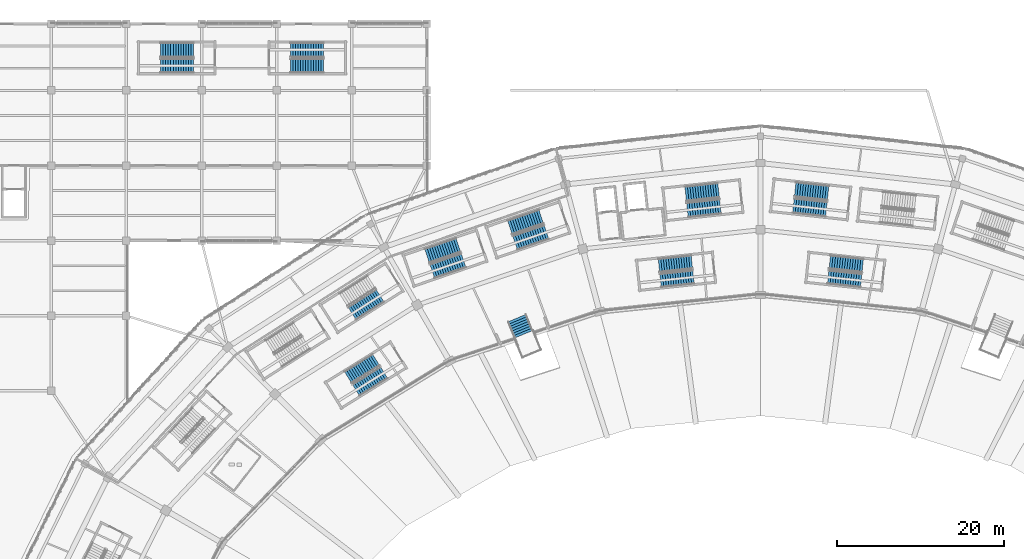
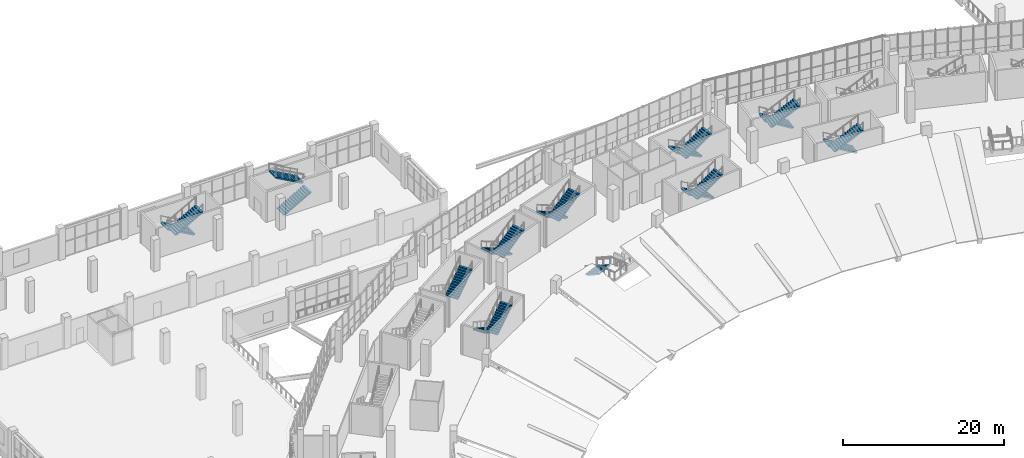
# One storey, part 117 of 183: 20 stair flights, 11 elements without a shape of their own.
"""IFC4 building model written with IfcOpenShell, lengths in metres."""

from ifc_helpers import new_model, si_unit, direction, frame, origin, place, context, subcontext, project, spatial, polyline, outline, extrude, material, type_object, element, aggregate, save


model = new_model("IFC4")

# Units and contexts
model_context = context("Model", 3, precision=1e-05, world=origin(), true_north=direction((0.0, 1.0)))
body_context = subcontext(model_context, "Body", "Model", "MODEL_VIEW")
ifc_project = project(units=[si_unit("LENGTHUNIT", "METRE"), si_unit("AREAUNIT", "SQUARE_METRE"), si_unit("VOLUMEUNIT", "CUBIC_METRE"), si_unit("PLANEANGLEUNIT", "RADIAN"), si_unit("MASSUNIT", "GRAM", prefix="KILO")], contexts=[model_context])

# Site, building, storey
site_placement = place(None, origin())
site = spatial("IfcSite", under=ifc_project, at=site_placement, CompositionType="ELEMENT")
building_placement = place(site_placement, origin())
building = spatial("IfcBuilding", under=site, at=building_placement, Name="Zevraka Park Crest Stadium", CompositionType="ELEMENT")
storey_placement = place(building_placement, frame((0.0, 0.0, 5.39990234375)))
storey = spatial("IfcBuildingStorey", under=building, at=storey_placement, Name="L01", CompositionType="ELEMENT", Elevation=5.39990234375)

# Stair, stair flights
ifc_material_1 = material(Name="Concrete C35/45", Category="concrete")
stair_type_1 = type_object("IfcStairType", Name="STA2", PredefinedType="HALF_TURN_STAIR", material=ifc_material_1)
stair_1_placement = place(storey_placement, origin())
stair_1 = element("IfcStair", 1, at=stair_1_placement, inside=storey, type_object=stair_type_1, Name="L01 Protected Concourse Exit Stair ST07", PredefinedType="HALF_TURN_STAIR")
ifc_material_2 = material(Name="Concrete C35/45", Category="concrete")
stair_flight_type_1 = type_object("IfcStairFlightType", Name="FLA2", PredefinedType="STRAIGHT", material=ifc_material_2)
stair_flight_1_placement = place(storey_placement, frame((106.97509765625, 164.038818359375, 0.0), z_axis=(0.0, 0.0, 1.0), x_axis=(-0.994127567381, -0.108214508149, 0.0)))
stair_flight_1 = element("IfcStairFlight", 2, at=stair_flight_1_placement, type_object=stair_flight_type_1, Name="ST07 flight 1", NumberOfRisers=14, NumberOfTreads=13, PredefinedType="STRAIGHT", RiserHeight=0.171428571, TreadLength=0.305, context=body_context, shape_type="SweptSolid", body=[
    extrude(outline(polyline([(0.0, 0.0), (0.0, 0.17138671875), (0.304931640625, 0.17138671875), (0.304931640625, 0.3427734375), (0.610107421875, 0.3427734375), (0.610107421875, 0.514404296875), (0.9150390625, 0.514404296875), (0.9150390625, 0.685791015625), (1.219970703125, 0.685791015625), (1.219970703125, 0.857177734375), (1.52490234375, 0.857177734375), (1.52490234375, 1.028564453125), (1.830078125, 1.028564453125), (1.830078125, 1.199951171875), (2.135009765625, 1.199951171875), (2.135009765625, 1.371337890625), (2.43994140625, 1.371337890625), (2.43994140625, 1.54296875), (2.7451171875, 1.54296875), (2.7451171875, 1.71435546875), (3.050048828125, 1.71435546875), (3.050048828125, 1.8857421875), (3.35498046875, 1.8857421875), (3.35498046875, 2.05712890625), (3.659912109375, 2.05712890625), (3.659912109375, 2.228515625), (3.965087890625, 2.228515625), (3.965087890625, 2.39990234375), (3.965087890625, 2.045166015625), (0.326416015625, 0.0), (0.0, 0.0)])), frame((0.0, 0.89990234375, 0.0), z_axis=(0.0, -1.0, 0.0), x_axis=(1.0, 0.0, 0.0)), (0.0, 0.0, 1.0), 1.800048828125),
])
stair_flight_2_placement = place(storey_placement, frame((103.245361328125, 161.6611328125, 2.400146484375), z_axis=(0.0, 0.0, 1.0), x_axis=(0.994127567381, 0.108214508149, 0.0)))
stair_flight_2 = element("IfcStairFlight", 3, at=stair_flight_2_placement, type_object=stair_flight_type_1, Name="ST07 flight 2", NumberOfRisers=14, NumberOfTreads=13, PredefinedType="STRAIGHT", RiserHeight=0.171428571, TreadLength=0.305, context=body_context, shape_type="SweptSolid", body=[
    extrude(outline(polyline([(0.0, 0.0), (0.0, 0.17138671875), (0.304931640625, 0.17138671875), (0.304931640625, 0.3427734375), (0.610107421875, 0.3427734375), (0.610107421875, 0.514404296875), (0.9150390625, 0.514404296875), (0.9150390625, 0.685791015625), (1.219970703125, 0.685791015625), (1.219970703125, 0.857177734375), (1.52490234375, 0.857177734375), (1.52490234375, 1.028564453125), (1.830078125, 1.028564453125), (1.830078125, 1.199951171875), (2.135009765625, 1.199951171875), (2.135009765625, 1.371337890625), (2.43994140625, 1.371337890625), (2.43994140625, 1.54296875), (2.7451171875, 1.54296875), (2.7451171875, 1.71435546875), (3.050048828125, 1.71435546875), (3.050048828125, 1.8857421875), (3.35498046875, 1.8857421875), (3.35498046875, 2.05712890625), (3.659912109375, 2.05712890625), (3.659912109375, 2.228515625), (3.965087890625, 2.228515625), (3.965087890625, 2.39990234375), (3.965087890625, 2.045166015625), (0.326416015625, 0.0), (0.0, 0.0)])), frame((0.0, 0.89990234375, 0.0), z_axis=(0.0, -1.0, 0.0), x_axis=(1.0, 0.0, 0.0)), (0.0, 0.0, 1.0), 1.800048828125),
])
aggregate(stair_1, [stair_flight_1, stair_flight_2])

stair_2_placement = place(storey_placement, origin())
stair_2 = element("IfcStair", 4, at=stair_2_placement, inside=storey, type_object=stair_type_1, Name="L01 Protected Concourse Exit Stair ST08", PredefinedType="HALF_TURN_STAIR")
stair_flight_3_placement = place(storey_placement, frame((85.70849609375, 160.86767578125, 0.0), z_axis=(0.0, 0.0, 1.0), x_axis=(-0.946066135515, -0.323973559463, 0.0)))
stair_flight_3 = element("IfcStairFlight", 5, at=stair_flight_3_placement, type_object=stair_flight_type_1, Name="ST08 flight 1", NumberOfRisers=14, NumberOfTreads=13, PredefinedType="STRAIGHT", RiserHeight=0.171428571, TreadLength=0.305, context=body_context, shape_type="SweptSolid", body=[
    extrude(outline(polyline([(0.0, 0.0), (0.0, 0.17138671875), (0.304931640625, 0.17138671875), (0.304931640625, 0.3427734375), (0.610107421875, 0.3427734375), (0.610107421875, 0.514404296875), (0.9150390625, 0.514404296875), (0.9150390625, 0.685791015625), (1.219970703125, 0.685791015625), (1.219970703125, 0.857177734375), (1.52490234375, 0.857177734375), (1.52490234375, 1.028564453125), (1.830078125, 1.028564453125), (1.830078125, 1.199951171875), (2.135009765625, 1.199951171875), (2.135009765625, 1.371337890625), (2.43994140625, 1.371337890625), (2.43994140625, 1.54296875), (2.7451171875, 1.54296875), (2.7451171875, 1.71435546875), (3.050048828125, 1.71435546875), (3.050048828125, 1.8857421875), (3.35498046875, 1.8857421875), (3.35498046875, 2.05712890625), (3.659912109375, 2.05712890625), (3.659912109375, 2.228515625), (3.965087890625, 2.228515625), (3.965087890625, 2.39990234375), (3.965087890625, 2.045166015625), (0.326416015625, 0.0), (0.0, 0.0)])), frame((0.0, 0.89990234375, 0.0), z_axis=(0.0, -1.0, 0.0), x_axis=(1.0, 0.0, 0.0)), (0.0, 0.0, 1.0), 1.800048828125),
])
stair_flight_4_placement = place(storey_placement, frame((82.59228515625, 157.728759765625, 2.400146484375), z_axis=(0.0, 0.0, 1.0), x_axis=(0.946066135515, 0.323973559463, 0.0)))
stair_flight_4 = element("IfcStairFlight", 6, at=stair_flight_4_placement, type_object=stair_flight_type_1, Name="ST08 flight 2", NumberOfRisers=14, NumberOfTreads=13, PredefinedType="STRAIGHT", RiserHeight=0.171428571, TreadLength=0.305, context=body_context, shape_type="SweptSolid", body=[
    extrude(outline(polyline([(0.0, 0.0), (0.0, 0.17138671875), (0.304931640625, 0.17138671875), (0.304931640625, 0.3427734375), (0.610107421875, 0.3427734375), (0.610107421875, 0.514404296875), (0.9150390625, 0.514404296875), (0.9150390625, 0.685791015625), (1.219970703125, 0.685791015625), (1.219970703125, 0.857177734375), (1.52490234375, 0.857177734375), (1.52490234375, 1.028564453125), (1.830078125, 1.028564453125), (1.830078125, 1.199951171875), (2.135009765625, 1.199951171875), (2.135009765625, 1.371337890625), (2.43994140625, 1.371337890625), (2.43994140625, 1.54296875), (2.7451171875, 1.54296875), (2.7451171875, 1.71435546875), (3.050048828125, 1.71435546875), (3.050048828125, 1.8857421875), (3.35498046875, 1.8857421875), (3.35498046875, 2.05712890625), (3.659912109375, 2.05712890625), (3.659912109375, 2.228515625), (3.965087890625, 2.228515625), (3.965087890625, 2.39990234375), (3.965087890625, 2.045166015625), (0.326416015625, 0.0), (0.0, 0.0)])), frame((0.0, 0.89990234375, 0.0), z_axis=(0.0, -1.0, 0.0), x_axis=(1.0, 0.0, 0.0)), (0.0, 0.0, 1.0), 1.800048828125),
])
aggregate(stair_2, [stair_flight_3, stair_flight_4])

# Stair, stair flight
stair_3_placement = place(storey_placement, origin())
stair_3 = element("IfcStair", 7, at=stair_3_placement, inside=storey, type_object=stair_type_1, Name="L01 Protected Concourse Exit Stair ST09", PredefinedType="HALF_TURN_STAIR")
stair_flight_5_placement = place(storey_placement, frame((63.05224609375, 149.263671875, 2.400146484375), z_axis=(0.0, 0.0, 1.0), x_axis=(0.844397122829, 0.535717741874, 0.0)))
stair_flight_5 = element("IfcStairFlight", 8, at=stair_flight_5_placement, type_object=stair_flight_type_1, Name="ST09 flight 2", NumberOfRisers=14, NumberOfTreads=13, PredefinedType="STRAIGHT", RiserHeight=0.171428571, TreadLength=0.305, context=body_context, shape_type="SweptSolid", body=[
    extrude(outline(polyline([(0.0, 0.0), (0.0, 0.17138671875), (0.304931640625, 0.17138671875), (0.304931640625, 0.3427734375), (0.610107421875, 0.3427734375), (0.610107421875, 0.514404296875), (0.9150390625, 0.514404296875), (0.9150390625, 0.685791015625), (1.219970703125, 0.685791015625), (1.219970703125, 0.857177734375), (1.52490234375, 0.857177734375), (1.52490234375, 1.028564453125), (1.830078125, 1.028564453125), (1.830078125, 1.199951171875), (2.135009765625, 1.199951171875), (2.135009765625, 1.371337890625), (2.43994140625, 1.371337890625), (2.43994140625, 1.54296875), (2.7451171875, 1.54296875), (2.7451171875, 1.71435546875), (3.050048828125, 1.71435546875), (3.050048828125, 1.8857421875), (3.35498046875, 1.8857421875), (3.35498046875, 2.05712890625), (3.659912109375, 2.05712890625), (3.659912109375, 2.228515625), (3.965087890625, 2.228515625), (3.965087890625, 2.39990234375), (3.965087890625, 2.045166015625), (0.326416015625, 0.0), (0.0, 0.0)])), frame((0.0, 0.89990234375, 0.0), z_axis=(0.0, -1.0, 0.0), x_axis=(1.0, 0.0, 0.0)), (0.0, 0.0, 1.0), 1.800048828125),
])
aggregate(stair_3, [stair_flight_5])

# Stair, stair flights
stair_4_placement = place(storey_placement, origin())
stair_4 = element("IfcStair", 9, at=stair_4_placement, inside=storey, type_object=stair_type_1, Name="L01 Protected Paired Concourse Exit Stair ST26", PredefinedType="HALF_TURN_STAIR")
stair_flight_6_placement = place(storey_placement, frame((120.107177734375, 163.702880859375, 0.0), z_axis=(0.0, 0.0, 1.0), x_axis=(-0.994127567381, 0.108214508149, 0.0)))
stair_flight_6 = element("IfcStairFlight", 10, at=stair_flight_6_placement, type_object=stair_flight_type_1, Name="ST26 flight 1", NumberOfRisers=14, NumberOfTreads=13, PredefinedType="STRAIGHT", RiserHeight=0.171428571, TreadLength=0.305, context=body_context, shape_type="SweptSolid", body=[
    extrude(outline(polyline([(0.0, 0.0), (0.0, 0.17138671875), (0.304931640625, 0.17138671875), (0.304931640625, 0.3427734375), (0.610107421875, 0.3427734375), (0.610107421875, 0.514404296875), (0.9150390625, 0.514404296875), (0.9150390625, 0.685791015625), (1.219970703125, 0.685791015625), (1.219970703125, 0.857177734375), (1.52490234375, 0.857177734375), (1.52490234375, 1.028564453125), (1.830078125, 1.028564453125), (1.830078125, 1.199951171875), (2.135009765625, 1.199951171875), (2.135009765625, 1.371337890625), (2.43994140625, 1.371337890625), (2.43994140625, 1.54296875), (2.7451171875, 1.54296875), (2.7451171875, 1.71435546875), (3.050048828125, 1.71435546875), (3.050048828125, 1.8857421875), (3.35498046875, 1.8857421875), (3.35498046875, 2.05712890625), (3.659912109375, 2.05712890625), (3.659912109375, 2.228515625), (3.965087890625, 2.228515625), (3.965087890625, 2.39990234375), (3.965087890625, 2.045166015625), (0.326416015625, 0.0), (0.0, 0.0)])), frame((0.0, 0.89990234375, 0.0), z_axis=(0.0, -1.0, 0.0), x_axis=(1.0, 0.0, 0.0)), (0.0, 0.0, 1.0), 1.800048828125),
])
stair_flight_7_placement = place(storey_placement, frame((115.953369140625, 162.183349609375, 2.400146484375), z_axis=(0.0, 0.0, 1.0), x_axis=(0.994127567381, -0.108214508149, 0.0)))
stair_flight_7 = element("IfcStairFlight", 11, at=stair_flight_7_placement, type_object=stair_flight_type_1, Name="ST26 flight 2", NumberOfRisers=14, NumberOfTreads=13, PredefinedType="STRAIGHT", RiserHeight=0.171428571, TreadLength=0.305, context=body_context, shape_type="SweptSolid", body=[
    extrude(outline(polyline([(0.0, 0.0), (0.0, 0.17138671875), (0.304931640625, 0.17138671875), (0.304931640625, 0.3427734375), (0.610107421875, 0.3427734375), (0.610107421875, 0.514404296875), (0.9150390625, 0.514404296875), (0.9150390625, 0.685791015625), (1.219970703125, 0.685791015625), (1.219970703125, 0.857177734375), (1.52490234375, 0.857177734375), (1.52490234375, 1.028564453125), (1.830078125, 1.028564453125), (1.830078125, 1.199951171875), (2.135009765625, 1.199951171875), (2.135009765625, 1.371337890625), (2.43994140625, 1.371337890625), (2.43994140625, 1.54296875), (2.7451171875, 1.54296875), (2.7451171875, 1.71435546875), (3.050048828125, 1.71435546875), (3.050048828125, 1.8857421875), (3.35498046875, 1.8857421875), (3.35498046875, 2.05712890625), (3.659912109375, 2.05712890625), (3.659912109375, 2.228515625), (3.965087890625, 2.228515625), (3.965087890625, 2.39990234375), (3.965087890625, 2.045166015625), (0.326416015625, 0.0), (0.0, 0.0)])), frame((0.0, 0.89990234375, 0.0), z_axis=(0.0, -1.0, 0.0), x_axis=(1.0, 0.0, 0.0)), (0.0, 0.0, 1.0), 1.800048828125),
])
aggregate(stair_4, [stair_flight_6, stair_flight_7])

stair_5_placement = place(storey_placement, origin())
stair_5 = element("IfcStair", 12, at=stair_5_placement, inside=storey, type_object=stair_type_1, Name="L01 Protected Paired Concourse Exit Stair ST27", PredefinedType="HALF_TURN_STAIR")
stair_flight_8_placement = place(storey_placement, frame((75.7744140625, 157.466552734375, 0.0), z_axis=(0.0, 0.0, 1.0), x_axis=(-0.946066135515, -0.323973559463, 0.0)))
stair_flight_8 = element("IfcStairFlight", 13, at=stair_flight_8_placement, type_object=stair_flight_type_1, Name="ST27 flight 1", NumberOfRisers=14, NumberOfTreads=13, PredefinedType="STRAIGHT", RiserHeight=0.171428571, TreadLength=0.305, context=body_context, shape_type="SweptSolid", body=[
    extrude(outline(polyline([(0.0, 0.0), (0.0, 0.17138671875), (0.304931640625, 0.17138671875), (0.304931640625, 0.3427734375), (0.610107421875, 0.3427734375), (0.610107421875, 0.514404296875), (0.9150390625, 0.514404296875), (0.9150390625, 0.685791015625), (1.219970703125, 0.685791015625), (1.219970703125, 0.857177734375), (1.52490234375, 0.857177734375), (1.52490234375, 1.028564453125), (1.830078125, 1.028564453125), (1.830078125, 1.199951171875), (2.135009765625, 1.199951171875), (2.135009765625, 1.371337890625), (2.43994140625, 1.371337890625), (2.43994140625, 1.54296875), (2.7451171875, 1.54296875), (2.7451171875, 1.71435546875), (3.050048828125, 1.71435546875), (3.050048828125, 1.8857421875), (3.35498046875, 1.8857421875), (3.35498046875, 2.05712890625), (3.659912109375, 2.05712890625), (3.659912109375, 2.228515625), (3.965087890625, 2.228515625), (3.965087890625, 2.39990234375), (3.965087890625, 2.045166015625), (0.326416015625, 0.0), (0.0, 0.0)])), frame((0.0, 0.89990234375, 0.0), z_axis=(0.0, -1.0, 0.0), x_axis=(1.0, 0.0, 0.0)), (0.0, 0.0, 1.0), 1.800048828125),
])
stair_flight_9_placement = place(storey_placement, frame((72.658203125, 154.327880859375, 2.400146484375), z_axis=(0.0, 0.0, 1.0), x_axis=(0.946066135515, 0.323973559463, 0.0)))
stair_flight_9 = element("IfcStairFlight", 14, at=stair_flight_9_placement, type_object=stair_flight_type_1, Name="ST27 flight 2", NumberOfRisers=14, NumberOfTreads=13, PredefinedType="STRAIGHT", RiserHeight=0.171428571, TreadLength=0.305, context=body_context, shape_type="SweptSolid", body=[
    extrude(outline(polyline([(0.0, 0.0), (0.0, 0.17138671875), (0.304931640625, 0.17138671875), (0.304931640625, 0.3427734375), (0.610107421875, 0.3427734375), (0.610107421875, 0.514404296875), (0.9150390625, 0.514404296875), (0.9150390625, 0.685791015625), (1.219970703125, 0.685791015625), (1.219970703125, 0.857177734375), (1.52490234375, 0.857177734375), (1.52490234375, 1.028564453125), (1.830078125, 1.028564453125), (1.830078125, 1.199951171875), (2.135009765625, 1.199951171875), (2.135009765625, 1.371337890625), (2.43994140625, 1.371337890625), (2.43994140625, 1.54296875), (2.7451171875, 1.54296875), (2.7451171875, 1.71435546875), (3.050048828125, 1.71435546875), (3.050048828125, 1.8857421875), (3.35498046875, 1.8857421875), (3.35498046875, 2.05712890625), (3.659912109375, 2.05712890625), (3.659912109375, 2.228515625), (3.965087890625, 2.228515625), (3.965087890625, 2.39990234375), (3.965087890625, 2.045166015625), (0.326416015625, 0.0), (0.0, 0.0)])), frame((0.0, 0.89990234375, 0.0), z_axis=(0.0, -1.0, 0.0), x_axis=(1.0, 0.0, 0.0)), (0.0, 0.0, 1.0), 1.800048828125),
])
aggregate(stair_5, [stair_flight_8, stair_flight_9])

ifc_material_3 = material(Name="Concrete C35/45", Category="concrete")
stair_type_2 = type_object("IfcStairType", Name="STB2", PredefinedType="HALF_TURN_STAIR", material=ifc_material_3)
stair_6_placement = place(storey_placement, origin())
stair_6 = element("IfcStair", 15, at=stair_6_placement, inside=storey, type_object=stair_type_2, Name="L01 Protected Concourse Relief Stair ST35", PredefinedType="HALF_TURN_STAIR")
ifc_material_4 = material(Name="Concrete C35/45", Category="concrete")
stair_flight_type_2 = type_object("IfcStairFlightType", Name="FLB2", PredefinedType="STRAIGHT", material=ifc_material_4)
stair_flight_10_placement = place(storey_placement, frame((124.25537109375, 155.005859375, 0.0), z_axis=(0.0, 0.0, 1.0), x_axis=(-0.994381814459, 0.105852761294, 0.0)))
stair_flight_10 = element("IfcStairFlight", 16, at=stair_flight_10_placement, type_object=stair_flight_type_2, Name="ST35 flight 1", NumberOfRisers=14, NumberOfTreads=13, PredefinedType="STRAIGHT", RiserHeight=0.171428571, TreadLength=0.305, context=body_context, shape_type="SweptSolid", body=[
    extrude(outline(polyline([(0.0, 0.0), (0.0, 0.17138671875), (0.304931640625, 0.17138671875), (0.304931640625, 0.3427734375), (0.610107421875, 0.3427734375), (0.610107421875, 0.514404296875), (0.9150390625, 0.514404296875), (0.9150390625, 0.685791015625), (1.219970703125, 0.685791015625), (1.219970703125, 0.857177734375), (1.52490234375, 0.857177734375), (1.52490234375, 1.028564453125), (1.830078125, 1.028564453125), (1.830078125, 1.199951171875), (2.135009765625, 1.199951171875), (2.135009765625, 1.371337890625), (2.43994140625, 1.371337890625), (2.43994140625, 1.54296875), (2.7451171875, 1.54296875), (2.7451171875, 1.71435546875), (3.050048828125, 1.71435546875), (3.050048828125, 1.8857421875), (3.35498046875, 1.8857421875), (3.35498046875, 2.05712890625), (3.659912109375, 2.05712890625), (3.659912109375, 2.228515625), (3.965087890625, 2.228515625), (3.965087890625, 2.39990234375), (3.965087890625, 2.045166015625), (0.326416015625, 0.0), (0.0, 0.0)])), frame((0.0, 0.824951171875, 0.0), z_axis=(0.0, -1.0, 0.0), x_axis=(1.0, 0.0, 0.0)), (0.0, 0.0, 1.0), 1.64990234375),
])
stair_flight_11_placement = place(storey_placement, frame((120.12109375, 153.625732421875, 2.400146484375), z_axis=(0.0, 0.0, 1.0), x_axis=(0.994381814459, -0.105852761294, 0.0)))
stair_flight_11 = element("IfcStairFlight", 17, at=stair_flight_11_placement, type_object=stair_flight_type_2, Name="ST35 flight 2", NumberOfRisers=14, NumberOfTreads=13, PredefinedType="STRAIGHT", RiserHeight=0.171428571, TreadLength=0.305, context=body_context, shape_type="SweptSolid", body=[
    extrude(outline(polyline([(0.0, 0.0), (0.0, 0.17138671875), (0.304931640625, 0.17138671875), (0.304931640625, 0.3427734375), (0.610107421875, 0.3427734375), (0.610107421875, 0.514404296875), (0.9150390625, 0.514404296875), (0.9150390625, 0.685791015625), (1.219970703125, 0.685791015625), (1.219970703125, 0.857177734375), (1.52490234375, 0.857177734375), (1.52490234375, 1.028564453125), (1.830078125, 1.028564453125), (1.830078125, 1.199951171875), (2.135009765625, 1.199951171875), (2.135009765625, 1.371337890625), (2.43994140625, 1.371337890625), (2.43994140625, 1.54296875), (2.7451171875, 1.54296875), (2.7451171875, 1.71435546875), (3.050048828125, 1.71435546875), (3.050048828125, 1.8857421875), (3.35498046875, 1.8857421875), (3.35498046875, 2.05712890625), (3.659912109375, 2.05712890625), (3.659912109375, 2.228515625), (3.965087890625, 2.228515625), (3.965087890625, 2.39990234375), (3.965087890625, 2.045166015625), (0.326416015625, 0.0), (0.0, 0.0)])), frame((0.0, 0.824951171875, 0.0), z_axis=(0.0, -1.0, 0.0), x_axis=(1.0, 0.0, 0.0)), (0.0, 0.0, 1.0), 1.64990234375),
])
aggregate(stair_6, [stair_flight_10, stair_flight_11])

stair_7_placement = place(storey_placement, origin())
stair_7 = element("IfcStair", 18, at=stair_7_placement, inside=storey, type_object=stair_type_2, Name="L01 Protected Concourse Relief Stair ST36", PredefinedType="HALF_TURN_STAIR")
stair_flight_12_placement = place(storey_placement, frame((103.77197265625, 155.434326171875, 0.0), z_axis=(0.0, 0.0, 1.0), x_axis=(-0.994381814459, -0.105852761294, 0.0)))
stair_flight_12 = element("IfcStairFlight", 19, at=stair_flight_12_placement, type_object=stair_flight_type_2, Name="ST36 flight 1", NumberOfRisers=14, NumberOfTreads=13, PredefinedType="STRAIGHT", RiserHeight=0.171428571, TreadLength=0.305, context=body_context, shape_type="SweptSolid", body=[
    extrude(outline(polyline([(0.0, 0.0), (0.0, 0.17138671875), (0.304931640625, 0.17138671875), (0.304931640625, 0.3427734375), (0.610107421875, 0.3427734375), (0.610107421875, 0.514404296875), (0.9150390625, 0.514404296875), (0.9150390625, 0.685791015625), (1.219970703125, 0.685791015625), (1.219970703125, 0.857177734375), (1.52490234375, 0.857177734375), (1.52490234375, 1.028564453125), (1.830078125, 1.028564453125), (1.830078125, 1.199951171875), (2.135009765625, 1.199951171875), (2.135009765625, 1.371337890625), (2.43994140625, 1.371337890625), (2.43994140625, 1.54296875), (2.7451171875, 1.54296875), (2.7451171875, 1.71435546875), (3.050048828125, 1.71435546875), (3.050048828125, 1.8857421875), (3.35498046875, 1.8857421875), (3.35498046875, 2.05712890625), (3.659912109375, 2.05712890625), (3.659912109375, 2.228515625), (3.965087890625, 2.228515625), (3.965087890625, 2.39990234375), (3.965087890625, 2.045166015625), (0.326416015625, 0.0), (0.0, 0.0)])), frame((0.0, 0.824951171875, 0.0), z_axis=(0.0, -1.0, 0.0), x_axis=(1.0, 0.0, 0.0)), (0.0, 0.0, 1.0), 1.64990234375),
])
stair_flight_13_placement = place(storey_placement, frame((100.02099609375, 153.21484375, 2.400146484375), z_axis=(0.0, 0.0, 1.0), x_axis=(0.994381814459, 0.105852761294, 0.0)))
stair_flight_13 = element("IfcStairFlight", 20, at=stair_flight_13_placement, type_object=stair_flight_type_2, Name="ST36 flight 2", NumberOfRisers=14, NumberOfTreads=13, PredefinedType="STRAIGHT", RiserHeight=0.171428571, TreadLength=0.305, context=body_context, shape_type="SweptSolid", body=[
    extrude(outline(polyline([(0.0, 0.0), (0.0, 0.17138671875), (0.304931640625, 0.17138671875), (0.304931640625, 0.3427734375), (0.610107421875, 0.3427734375), (0.610107421875, 0.514404296875), (0.9150390625, 0.514404296875), (0.9150390625, 0.685791015625), (1.219970703125, 0.685791015625), (1.219970703125, 0.857177734375), (1.52490234375, 0.857177734375), (1.52490234375, 1.028564453125), (1.830078125, 1.028564453125), (1.830078125, 1.199951171875), (2.135009765625, 1.199951171875), (2.135009765625, 1.371337890625), (2.43994140625, 1.371337890625), (2.43994140625, 1.54296875), (2.7451171875, 1.54296875), (2.7451171875, 1.71435546875), (3.050048828125, 1.71435546875), (3.050048828125, 1.8857421875), (3.35498046875, 1.8857421875), (3.35498046875, 2.05712890625), (3.659912109375, 2.05712890625), (3.659912109375, 2.228515625), (3.965087890625, 2.228515625), (3.965087890625, 2.39990234375), (3.965087890625, 2.045166015625), (0.326416015625, 0.0), (0.0, 0.0)])), frame((0.0, 0.824951171875, 0.0), z_axis=(0.0, -1.0, 0.0), x_axis=(1.0, 0.0, 0.0)), (0.0, 0.0, 1.0), 1.64990234375),
])
aggregate(stair_7, [stair_flight_12, stair_flight_13])

stair_8_placement = place(storey_placement, origin())
stair_8 = element("IfcStair", 21, at=stair_8_placement, inside=storey, type_object=stair_type_2, Name="L01 Protected Concourse Relief Stair ST37", PredefinedType="HALF_TURN_STAIR")
stair_flight_14_placement = place(storey_placement, frame((65.92529296875, 143.7060546875, 0.0), z_axis=(0.0, 0.0, 1.0), x_axis=(-0.849693054671, -0.527277643035, 0.0)))
stair_flight_14 = element("IfcStairFlight", 22, at=stair_flight_14_placement, type_object=stair_flight_type_2, Name="ST37 flight 1", NumberOfRisers=14, NumberOfTreads=13, PredefinedType="STRAIGHT", RiserHeight=0.171428571, TreadLength=0.305, context=body_context, shape_type="SweptSolid", body=[
    extrude(outline(polyline([(0.0, 0.0), (0.0, 0.17138671875), (0.304931640625, 0.17138671875), (0.304931640625, 0.3427734375), (0.610107421875, 0.3427734375), (0.610107421875, 0.514404296875), (0.9150390625, 0.514404296875), (0.9150390625, 0.685791015625), (1.219970703125, 0.685791015625), (1.219970703125, 0.857177734375), (1.52490234375, 0.857177734375), (1.52490234375, 1.028564453125), (1.830078125, 1.028564453125), (1.830078125, 1.199951171875), (2.135009765625, 1.199951171875), (2.135009765625, 1.371337890625), (2.43994140625, 1.371337890625), (2.43994140625, 1.54296875), (2.7451171875, 1.54296875), (2.7451171875, 1.71435546875), (3.050048828125, 1.71435546875), (3.050048828125, 1.8857421875), (3.35498046875, 1.8857421875), (3.35498046875, 2.05712890625), (3.659912109375, 2.05712890625), (3.659912109375, 2.228515625), (3.965087890625, 2.228515625), (3.965087890625, 2.39990234375), (3.965087890625, 2.045166015625), (0.326416015625, 0.0), (0.0, 0.0)])), frame((0.0, 0.824951171875, 0.0), z_axis=(0.0, -1.0, 0.0), x_axis=(1.0, 0.0, 0.0)), (0.0, 0.0, 1.0), 1.64990234375),
])
stair_flight_15_placement = place(storey_placement, frame((63.510498046875, 140.07763671875, 2.400146484375), z_axis=(0.0, 0.0, 1.0), x_axis=(0.849693054671, 0.527277643035, 0.0)))
stair_flight_15 = element("IfcStairFlight", 23, at=stair_flight_15_placement, type_object=stair_flight_type_2, Name="ST37 flight 2", NumberOfRisers=14, NumberOfTreads=13, PredefinedType="STRAIGHT", RiserHeight=0.171428571, TreadLength=0.305, context=body_context, shape_type="SweptSolid", body=[
    extrude(outline(polyline([(0.0, 0.0), (0.0, 0.17138671875), (0.304931640625, 0.17138671875), (0.304931640625, 0.3427734375), (0.610107421875, 0.3427734375), (0.610107421875, 0.514404296875), (0.9150390625, 0.514404296875), (0.9150390625, 0.685791015625), (1.219970703125, 0.685791015625), (1.219970703125, 0.857177734375), (1.52490234375, 0.857177734375), (1.52490234375, 1.028564453125), (1.830078125, 1.028564453125), (1.830078125, 1.199951171875), (2.135009765625, 1.199951171875), (2.135009765625, 1.371337890625), (2.43994140625, 1.371337890625), (2.43994140625, 1.54296875), (2.7451171875, 1.54296875), (2.7451171875, 1.71435546875), (3.050048828125, 1.71435546875), (3.050048828125, 1.8857421875), (3.35498046875, 1.8857421875), (3.35498046875, 2.05712890625), (3.659912109375, 2.05712890625), (3.659912109375, 2.228515625), (3.965087890625, 2.228515625), (3.965087890625, 2.39990234375), (3.965087890625, 2.045166015625), (0.326416015625, 0.0), (0.0, 0.0)])), frame((0.0, 0.824951171875, 0.0), z_axis=(0.0, -1.0, 0.0), x_axis=(1.0, 0.0, 0.0)), (0.0, 0.0, 1.0), 1.64990234375),
])
aggregate(stair_8, [stair_flight_14, stair_flight_15])

ifc_material_5 = material(Name="Concrete C35/45", Category="concrete")
stair_type_3 = type_object("IfcStairType", Name="STC2", PredefinedType="HALF_TURN_STAIR", material=ifc_material_5)
stair_9_placement = place(storey_placement, origin())
stair_9 = element("IfcStair", 24, at=stair_9_placement, inside=storey, type_object=stair_type_3, Name="L01 Garden Court Arcade West Stair ST49", PredefinedType="HALF_TURN_STAIR")
ifc_material_6 = material(Name="Concrete C35/45", Category="concrete")
stair_flight_type_3 = type_object("IfcStairFlightType", Name="FLC2", PredefinedType="STRAIGHT", material=ifc_material_6)
stair_flight_16_placement = place(storey_placement, frame((44.050048828125, 180.875, 0.0), z_axis=(0.0, 0.0, 1.0), x_axis=(-1.0, 0.0, 0.0)))
stair_flight_16 = element("IfcStairFlight", 25, at=stair_flight_16_placement, type_object=stair_flight_type_3, Name="ST49 flight 1", NumberOfRisers=14, NumberOfTreads=13, PredefinedType="STRAIGHT", RiserHeight=0.171428571, TreadLength=0.305, context=body_context, shape_type="SweptSolid", body=[
    extrude(outline(polyline([(0.0, 0.0), (0.0, 0.17138671875), (0.304931640625, 0.17138671875), (0.304931640625, 0.3427734375), (0.610107421875, 0.3427734375), (0.610107421875, 0.514404296875), (0.9150390625, 0.514404296875), (0.9150390625, 0.685791015625), (1.219970703125, 0.685791015625), (1.219970703125, 0.857177734375), (1.52490234375, 0.857177734375), (1.52490234375, 1.028564453125), (1.830078125, 1.028564453125), (1.830078125, 1.199951171875), (2.135009765625, 1.199951171875), (2.135009765625, 1.371337890625), (2.43994140625, 1.371337890625), (2.43994140625, 1.54296875), (2.7451171875, 1.54296875), (2.7451171875, 1.71435546875), (3.050048828125, 1.71435546875), (3.050048828125, 1.8857421875), (3.35498046875, 1.8857421875), (3.35498046875, 2.05712890625), (3.659912109375, 2.05712890625), (3.659912109375, 2.228515625), (3.965087890625, 2.228515625), (3.965087890625, 2.39990234375), (3.965087890625, 2.045166015625), (0.326416015625, 0.0), (0.0, 0.0)])), frame((0.0, 0.875, 0.0), z_axis=(0.0, -1.0, 0.0), x_axis=(1.0, 0.0, 0.0)), (0.0, 0.0, 1.0), 1.75),
])
stair_flight_17_placement = place(storey_placement, frame((40.0849609375, 178.965087890625, 2.400146484375), z_axis=(0.0, 0.0, 1.0), x_axis=(1.0, 0.0, 0.0)))
stair_flight_17 = element("IfcStairFlight", 26, at=stair_flight_17_placement, type_object=stair_flight_type_3, Name="ST49 flight 2", NumberOfRisers=14, NumberOfTreads=13, PredefinedType="STRAIGHT", RiserHeight=0.171428571, TreadLength=0.305, context=body_context, shape_type="SweptSolid", body=[
    extrude(outline(polyline([(0.0, 0.0), (0.0, 0.17138671875), (0.304931640625, 0.17138671875), (0.304931640625, 0.3427734375), (0.610107421875, 0.3427734375), (0.610107421875, 0.514404296875), (0.9150390625, 0.514404296875), (0.9150390625, 0.685791015625), (1.219970703125, 0.685791015625), (1.219970703125, 0.857177734375), (1.52490234375, 0.857177734375), (1.52490234375, 1.028564453125), (1.830078125, 1.028564453125), (1.830078125, 1.199951171875), (2.135009765625, 1.199951171875), (2.135009765625, 1.371337890625), (2.43994140625, 1.371337890625), (2.43994140625, 1.54296875), (2.7451171875, 1.54296875), (2.7451171875, 1.71435546875), (3.050048828125, 1.71435546875), (3.050048828125, 1.8857421875), (3.35498046875, 1.8857421875), (3.35498046875, 2.05712890625), (3.659912109375, 2.05712890625), (3.659912109375, 2.228515625), (3.965087890625, 2.228515625), (3.965087890625, 2.39990234375), (3.965087890625, 2.045166015625), (0.326416015625, 0.0), (0.0, 0.0)])), frame((0.0, 0.875, 0.0), z_axis=(0.0, -1.0, 0.0), x_axis=(1.0, 0.0, 0.0)), (0.0, 0.0, 1.0), 1.75),
])
aggregate(stair_9, [stair_flight_16, stair_flight_17])

stair_10_placement = place(storey_placement, origin())
stair_10 = element("IfcStair", 27, at=stair_10_placement, inside=storey, type_object=stair_type_3, Name="L01 Garden Court Arcade East Stair ST50", PredefinedType="HALF_TURN_STAIR")
stair_flight_18_placement = place(storey_placement, frame((55.64990234375, 178.965087890625, 0.0), z_axis=(0.0, 0.0, 1.0), x_axis=(1.0, 0.0, 0.0)))
stair_flight_18 = element("IfcStairFlight", 28, at=stair_flight_18_placement, type_object=stair_flight_type_3, Name="ST50 flight 1", NumberOfRisers=14, NumberOfTreads=13, PredefinedType="STRAIGHT", RiserHeight=0.171428571, TreadLength=0.305, context=body_context, shape_type="SweptSolid", body=[
    extrude(outline(polyline([(0.0, 0.0), (0.0, 0.17138671875), (0.304931640625, 0.17138671875), (0.304931640625, 0.3427734375), (0.610107421875, 0.3427734375), (0.610107421875, 0.514404296875), (0.9150390625, 0.514404296875), (0.9150390625, 0.685791015625), (1.219970703125, 0.685791015625), (1.219970703125, 0.857177734375), (1.52490234375, 0.857177734375), (1.52490234375, 1.028564453125), (1.830078125, 1.028564453125), (1.830078125, 1.199951171875), (2.135009765625, 1.199951171875), (2.135009765625, 1.371337890625), (2.43994140625, 1.371337890625), (2.43994140625, 1.54296875), (2.7451171875, 1.54296875), (2.7451171875, 1.71435546875), (3.050048828125, 1.71435546875), (3.050048828125, 1.8857421875), (3.35498046875, 1.8857421875), (3.35498046875, 2.05712890625), (3.659912109375, 2.05712890625), (3.659912109375, 2.228515625), (3.965087890625, 2.228515625), (3.965087890625, 2.39990234375), (3.965087890625, 2.045166015625), (0.326416015625, 0.0), (0.0, 0.0)])), frame((0.0, 0.875, 0.0), z_axis=(0.0, -1.0, 0.0), x_axis=(1.0, 0.0, 0.0)), (0.0, 0.0, 1.0), 1.75),
])
stair_flight_19_placement = place(storey_placement, frame((59.614990234375, 180.875, 2.400146484375), z_axis=(0.0, 0.0, 1.0), x_axis=(-1.0, 0.0, 0.0)))
stair_flight_19 = element("IfcStairFlight", 29, at=stair_flight_19_placement, type_object=stair_flight_type_3, Name="ST50 flight 2", NumberOfRisers=14, NumberOfTreads=13, PredefinedType="STRAIGHT", RiserHeight=0.171428571, TreadLength=0.305, context=body_context, shape_type="SweptSolid", body=[
    extrude(outline(polyline([(0.0, 0.0), (0.0, 0.17138671875), (0.304931640625, 0.17138671875), (0.304931640625, 0.3427734375), (0.610107421875, 0.3427734375), (0.610107421875, 0.514404296875), (0.9150390625, 0.514404296875), (0.9150390625, 0.685791015625), (1.219970703125, 0.685791015625), (1.219970703125, 0.857177734375), (1.52490234375, 0.857177734375), (1.52490234375, 1.028564453125), (1.830078125, 1.028564453125), (1.830078125, 1.199951171875), (2.135009765625, 1.199951171875), (2.135009765625, 1.371337890625), (2.43994140625, 1.371337890625), (2.43994140625, 1.54296875), (2.7451171875, 1.54296875), (2.7451171875, 1.71435546875), (3.050048828125, 1.71435546875), (3.050048828125, 1.8857421875), (3.35498046875, 1.8857421875), (3.35498046875, 2.05712890625), (3.659912109375, 2.05712890625), (3.659912109375, 2.228515625), (3.965087890625, 2.228515625), (3.965087890625, 2.39990234375), (3.965087890625, 2.045166015625), (0.326416015625, 0.0), (0.0, 0.0)])), frame((0.0, 0.875, 0.0), z_axis=(0.0, -1.0, 0.0), x_axis=(1.0, 0.0, 0.0)), (0.0, 0.0, 1.0), 1.75),
])
aggregate(stair_10, [stair_flight_18, stair_flight_19])

# Stair, stair flight
ifc_material_7 = material(Name="Concrete C35/45", Category="concrete")
stair_type_4 = type_object("IfcStairType", Name="VST1", PredefinedType="STRAIGHT_RUN_STAIR", material=ifc_material_7)
stair_11_placement = place(storey_placement, origin())
stair_11 = element("IfcStair", 30, at=stair_11_placement, inside=storey, type_object=stair_type_4, Name="Vomitory Stair VS-03", PredefinedType="STRAIGHT_RUN_STAIR")
ifc_material_8 = material(Name="Concrete C35/45", Category="concrete")
stair_flight_type_4 = type_object("IfcStairFlightType", Name="FLVS", PredefinedType="STRAIGHT", material=ifc_material_8)
stair_flight_20_placement = place(storey_placement, frame((82.81591796875, 148.718017578125, 0.0), z_axis=(0.0, 0.0, 1.0), x_axis=(0.382699557047, -0.923872853285, 0.0)))
stair_flight_20 = element("IfcStairFlight", 31, at=stair_flight_20_placement, type_object=stair_flight_type_4, Name="VST1 flight 1", NumberOfRisers=8, NumberOfTreads=7, PredefinedType="STRAIGHT", RiserHeight=0.15, TreadLength=0.3, context=body_context, shape_type="SweptSolid", body=[
    extrude(outline(polyline([(0.0, 0.0), (0.0, 0.14990234375), (0.300048828125, 0.14990234375), (0.300048828125, 0.300048828125), (0.60009765625, 0.300048828125), (0.60009765625, 0.449951171875), (0.89990234375, 0.449951171875), (0.89990234375, 0.60009765625), (1.199951171875, 0.60009765625), (1.199951171875, 0.75), (1.5, 0.75), (1.5, 0.89990234375), (1.800048828125, 0.89990234375), (1.800048828125, 1.050048828125), (2.10009765625, 1.050048828125), (2.10009765625, 1.199951171875), (2.10009765625, 0.848876953125), (0.40234375, 0.0), (0.0, 0.0)])), frame((0.0, 1.199951171875, 0.0), z_axis=(0.0, -1.0, 0.0), x_axis=(1.0, 0.0, 0.0)), (0.0, 0.0, 1.0), 2.39990234375),
])
aggregate(stair_11, [stair_flight_20])

save(model, "model.ifc")
